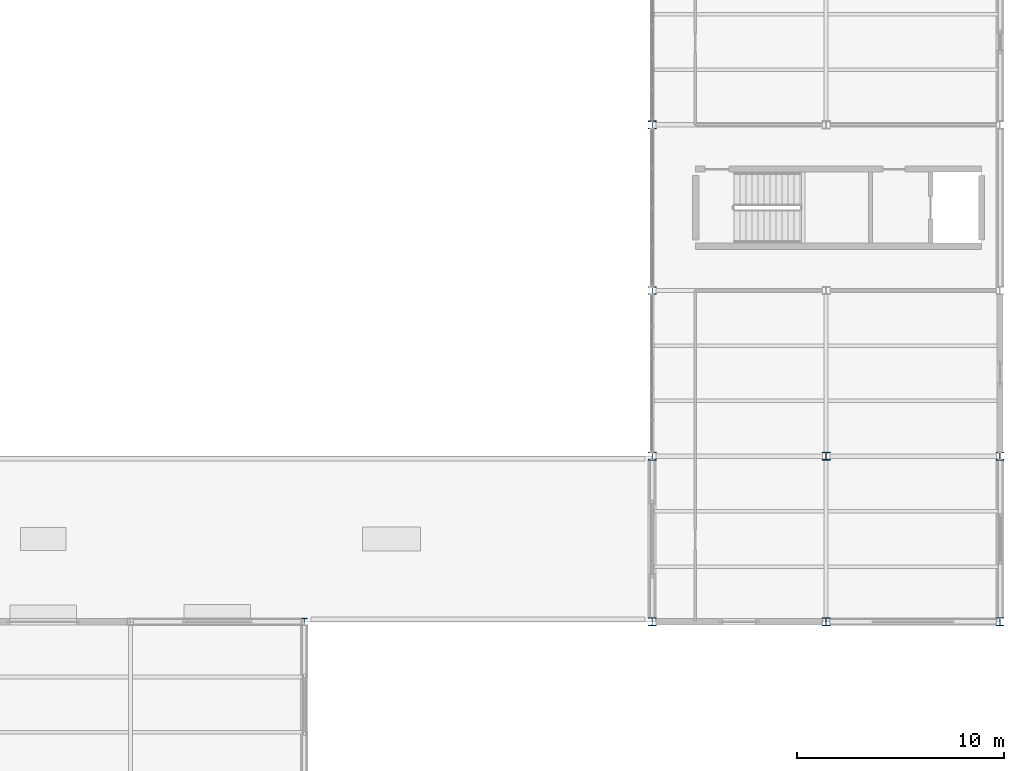
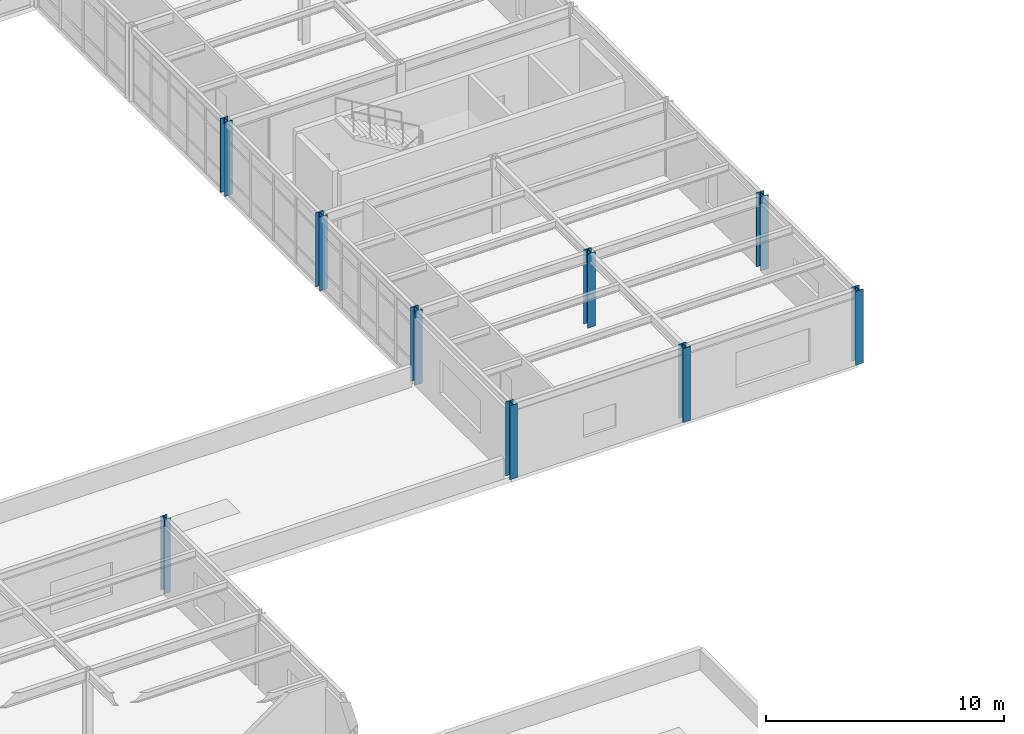
# One storey, part 16 of 138: 9 columns.
"""IFC4 building model written with IfcOpenShell, lengths in metres."""

import ifcopenshell
import ifcopenshell.guid

model = None  # the IFC model being written
_history = None  # IfcOwnerHistory: only IFC2X3 demands one
_inside = {}  # id of a spatial element -> (the spatial element, [elements in it])
_under = {}  # id of a project, library or spatial element -> (it, [spatial elements below it])
_declared = {}  # id of a project -> (the project, [libraries it declares])
_typed = {}  # id of a type object -> (the type object, [elements of that type])
_made_of = {}  # id of a material, layer set ... -> (it, [elements and type objects made of it])


def new_model(schema):
    """Start an empty IFC model of exactly this schema.

    Asked for "IFC4X3", IfcOpenShell would pick the latest addendum, in which some entities
    have other attributes; the version numbers below select the first issue.
    IFC2X3 requires an IfcOwnerHistory on every rooted entity: one is made here for all.
    """
    global model, _history
    if schema == "IFC4X3":
        model = ifcopenshell.file(schema_version=(4, 3, 0, 0))
    else:
        model = ifcopenshell.file(schema=schema)
    _inside.clear()
    _under.clear()
    _declared.clear()
    _typed.clear()
    _made_of.clear()
    _history = None
    if model.schema == "IFC2X3":
        org = make("IfcOrganization", Name="unknown")
        user = make(
            "IfcPersonAndOrganization",
            ThePerson=make("IfcPerson", FamilyName="unknown"),
            TheOrganization=org,
        )
        app = make(
            "IfcApplication",
            ApplicationDeveloper=org,
            Version="unknown",
            ApplicationFullName="unknown",
            ApplicationIdentifier="unknown",
        )
        _history = make(
            "IfcOwnerHistory",
            OwningUser=user,
            OwningApplication=app,
            ChangeAction="ADDED",
            CreationDate=0,
        )
    return model


def make(cls, **values):
    """One entity of the class cls with the attributes given. An attribute that is None is left unset."""
    return model.create_entity(
        cls, **{name: value for name, value in values.items() if value is not None}
    )


def rooted(cls, **values):
    """An entity with a GlobalId (a new one), such as an element, a storey or a relation."""
    return make(cls, GlobalId=ifcopenshell.guid.new(), OwnerHistory=_history, **values)


def si_unit(unit_type, name, prefix=None):
    """IfcSIUnit, for example si_unit("LENGTHUNIT", "METRE", prefix="MILLI")."""
    return make("IfcSIUnit", UnitType=unit_type, Prefix=prefix, Name=name)


def assignment(units):
    """IfcUnitAssignment: the units of a project."""
    return None if units is None else make("IfcUnitAssignment", Units=units)


def point(xyz):
    """IfcCartesianPoint."""
    return None if xyz is None else make("IfcCartesianPoint", Coordinates=xyz)


def direction(xyz):
    """IfcDirection."""
    return None if xyz is None else make("IfcDirection", DirectionRatios=xyz)


def frame(location, z_axis=None, x_axis=None):
    """IfcAxis2Placement3D, a coordinate frame: its origin and axes. An axis left out is left unset."""
    return make(
        "IfcAxis2Placement3D",
        Location=point(location),
        Axis=direction(z_axis),
        RefDirection=direction(x_axis),
    )


def frame_2d(location, x_axis=None):
    """IfcAxis2Placement2D, a coordinate frame in the plane: its origin and x axis."""
    return make(
        "IfcAxis2Placement2D", Location=point(location), RefDirection=direction(x_axis)
    )


def origin():
    """The frame at (0, 0, 0) with its axes left unset."""
    return frame((0.0, 0.0, 0.0))


def origin_2d():
    """The frame at (0, 0) in the plane with its x axis left unset."""
    return frame_2d((0.0, 0.0))


def place(relative_to, where):
    """IfcLocalPlacement: puts the frame where relative to a parent placement (None: the world)."""
    return make(
        "IfcLocalPlacement", PlacementRelTo=relative_to, RelativePlacement=where
    )


def context(
    kind, dimensions, precision=None, world=None, true_north=None, identifier=None
):
    """IfcGeometricRepresentationContext, for example the 3D "Model" context."""
    return make(
        "IfcGeometricRepresentationContext",
        ContextIdentifier=identifier,
        ContextType=kind,
        CoordinateSpaceDimension=dimensions,
        Precision=precision,
        WorldCoordinateSystem=world,
        TrueNorth=true_north,
    )


def subcontext(parent, identifier, kind, view, scale=None):
    """IfcGeometricRepresentationSubContext, for example "Body" below "Model"."""
    return make(
        "IfcGeometricRepresentationSubContext",
        ContextIdentifier=identifier,
        ContextType=kind,
        ParentContext=parent,
        TargetScale=scale,
        TargetView=view,
    )


def project(units=None, contexts=None):
    """IfcProject with its units and contexts."""
    return rooted(
        "IfcProject",
        Name="project",
        RepresentationContexts=contexts,
        UnitsInContext=assignment(units),
    )


def spatial(cls, under=None, at=None, **own):
    """A site, building, storey or space (cls), placed at a placement, below another one or the project."""
    s = rooted(cls, ObjectPlacement=at, **own)
    if under is not None:
        _under.setdefault(under.id(), (under, []))[1].append(s)
    return s


def profile(cls, at=None, kind="AREA", **sizes):
    """A parametric profile (cls). Its sizes go by their IFC names, for example OverallWidth=200.0."""
    return make(cls, ProfileType=kind, Position=at, **sizes)


def i_section(**sizes):
    """IfcIShapeProfileDef."""
    return profile("IfcIShapeProfileDef", **sizes)


def extrude(swept, where, along, depth):
    """IfcExtrudedAreaSolid: the profile swept, set in the frame where, extruded along a direction by depth."""
    return make(
        "IfcExtrudedAreaSolid",
        SweptArea=swept,
        Position=where,
        ExtrudedDirection=direction(along),
        Depth=depth,
    )


def shape(context_of_items, identifier, shape_type, items):
    """IfcShapeRepresentation: the items that make up one representation, for example the "Body"."""
    return make(
        "IfcShapeRepresentation",
        ContextOfItems=context_of_items,
        RepresentationIdentifier=identifier,
        RepresentationType=shape_type,
        Items=items,
    )


def material(Name=None, Category=None):
    """IfcMaterial."""
    return make("IfcMaterial", Name=Name, Category=Category)


def material_profile(
    of_material, cross_section, Name=None, Category=None, Priority=None
):
    """IfcMaterialProfile: a cross section and its material."""
    return make(
        "IfcMaterialProfile",
        Name=Name,
        Material=of_material,
        Profile=cross_section,
        Priority=Priority,
        Category=Category,
    )


def profile_set(profiles, Name=None, composite=None):
    """IfcMaterialProfileSet."""
    return make(
        "IfcMaterialProfileSet",
        Name=Name,
        MaterialProfiles=profiles,
        CompositeProfile=composite,
    )


def made_of(thing, what):
    """Note that an element or type object is made of a material, layer set ...; save() writes the relation."""
    if what is not None:
        _made_of.setdefault(what.id(), (what, []))[1].append(thing)
    return thing


def type_object(cls, material=None, **own):
    """A type object (cls), such as IfcWallType, which elements share."""
    return made_of(rooted(cls, **own), material)


def element(
    cls,
    number,
    at=None,
    inside=None,
    cuts=None,
    type_object=None,
    material=None,
    context=None,
    identifier="Body",
    shape_type=None,
    held_by="IfcProductDefinitionShape",
    body=None,
    shapes=None,
    **own,
):
    """One element of the class cls, such as IfcWall. Its Tag is "e" and its number.

    at: its placement. inside: the storey or other place that contains it. cuts: it is an
    opening in that element (IfcRelVoidsElement). A single representation is given by context,
    identifier, shape_type and body (its items); several are given by shapes. held_by: the class
    of the entity that holds the representations. save() writes the other relations.
    """
    e = rooted(cls, Tag="e%d" % number, ObjectPlacement=at, **own)
    if body is not None:
        shapes = [shape(context, identifier, shape_type, body)]
    if shapes is not None:
        e.Representation = make(held_by, Representations=shapes)
    if inside is not None:
        _inside.setdefault(inside.id(), (inside, []))[1].append(e)
    if cuts is not None:
        rooted(
            "IfcRelVoidsElement", RelatingBuildingElement=cuts, RelatedOpeningElement=e
        )
    if type_object is not None:
        _typed.setdefault(type_object.id(), (type_object, []))[1].append(e)
    return made_of(e, material)


def aggregate(whole, parts):
    """IfcRelAggregates: a whole, such as a stair, and the parts it consists of."""
    return rooted("IfcRelAggregates", RelatingObject=whole, RelatedObjects=parts)


def save(model, path):
    """Write the relations noted so far, then the file.

    IfcRelAggregates (storeys below a building ...), IfcRelContainedInSpatialStructure (elements
    in a storey), IfcRelDefinesByType, IfcRelAssociatesMaterial and IfcRelDeclares: one each for
    every whole, place, type object, material and project.
    """
    for whole, parts in _under.values():
        aggregate(whole, parts)
    for where, things in _inside.values():
        rooted(
            "IfcRelContainedInSpatialStructure",
            RelatedElements=things,
            RelatingStructure=where,
        )
    for kind, things in _typed.values():
        rooted("IfcRelDefinesByType", RelatedObjects=things, RelatingType=kind)
    for what, things in _made_of.values():
        rooted("IfcRelAssociatesMaterial", RelatedObjects=things, RelatingMaterial=what)
    for by, libraries in _declared.values():
        rooted("IfcRelDeclares", RelatingContext=by, RelatedDefinitions=libraries)
    model.write(path)


model = new_model("IFC4")

# Units and contexts
model_context = context("Model", 3, precision=1e-05, world=origin(), true_north=direction((0.0, 1.0)))
body_context = subcontext(model_context, "Body", "Model", "MODEL_VIEW")
ifc_project = project(units=[si_unit("LENGTHUNIT", "METRE"), si_unit("AREAUNIT", "SQUARE_METRE"), si_unit("VOLUMEUNIT", "CUBIC_METRE"), si_unit("PLANEANGLEUNIT", "RADIAN"), si_unit("MASSUNIT", "GRAM", prefix="KILO")], contexts=[model_context])

# Site, building, storey
site_placement = place(None, origin())
site = spatial("IfcSite", under=ifc_project, at=site_placement, CompositionType="ELEMENT")
building_placement = place(site_placement, origin())
building = spatial("IfcBuilding", under=site, at=building_placement, Name="Kranzveld Transit Interchange", CompositionType="ELEMENT")
storey_placement = place(building_placement, frame((0.0, 0.0, 5.43994140625)))
storey = spatial("IfcBuildingStorey", under=building, at=storey_placement, Name="L01", CompositionType="ELEMENT", Elevation=5.43994140625)

# Columns
ifc_material_1 = material(Name="Steel S355JR", Category="steel")
ifc_material_profile_1 = material_profile(ifc_material_1, i_section(OverallWidth=0.30908203125, OverallDepth=0.320556640625, WebThickness=0.013916015625, FlangeThickness=0.021728515625, FilletRadius=0.01513671875, at=origin_2d()), Name="UC 305x305x137")
ifc_profile_set_1 = profile_set([ifc_material_profile_1], Name="Steel S355JR")
column_type_1 = type_object("IfcColumnType", Name="Column Steel UC 305x305x137 S355JR", PredefinedType="COLUMN", material=ifc_profile_set_1)
column_placement = place(storey_placement, frame((134.39990234375, 56.0, 0.0), z_axis=(0.0, 0.0, 1.0), x_axis=(1.0, 0.0, 0.0)))
element("IfcColumn", 1, at=column_placement, inside=storey, type_object=column_type_1, Name="L01 Column 17/H", PredefinedType="COLUMN", context=body_context, shape_type="SweptSolid", body=[
    extrude(i_section(OverallWidth=0.30908203125, OverallDepth=0.320556640625, WebThickness=0.013916015625, FlangeThickness=0.021728515625, FilletRadius=0.01513671875, at=origin_2d()), origin(), (0.0, 0.0, 1.0), 3.800048828125),
])
ifc_material_2 = material(Name="Steel S355JR", Category="steel")
ifc_material_profile_2 = material_profile(ifc_material_2, i_section(OverallWidth=0.374755859375, OverallDepth=0.37451171875, WebThickness=0.0166015625, FlangeThickness=0.027099609375, FilletRadius=0.01513671875, at=origin_2d()), Name="UC 356x368x202")
ifc_profile_set_2 = profile_set([ifc_material_profile_2], Name="Steel S355JR")
column_type_2 = type_object("IfcColumnType", Name="Column Steel UC 356x368x202 S355JR", PredefinedType="COLUMN", material=ifc_profile_set_2)
for number, where, z_axis, x_axis, name in (
    (2, (151.199951171875, 56.0, 0.0), (0.0, 0.0, 1.0), (1.0, 0.0, 0.0), "L01 Column 19/H"),
    (3, (151.199951171875, 64.0, 0.0), (0.0, 0.0, 1.0), (1.0, 0.0, 0.0), "L01 Column 19/J"),
    (4, (151.199951171875, 72.0, 0.0), (0.0, 0.0, 1.0), (1.0, 0.0, 0.0), "L01 Column 19/K"),
    (5, (151.199951171875, 80.0, 0.0), (0.0, 0.0, 1.0), (1.0, 0.0, 0.0), "L01 Column 19/L"),
    (6, (159.60009765625, 56.0, 0.0), (0.0, 0.0, 1.0), (1.0, 0.0, 0.0), "L01 Column 20/H"),
    (7, (159.60009765625, 64.0, 0.0), (0.0, 0.0, 1.0), (1.0, 0.0, 0.0), "L01 Column 20/J"),
    (8, (168.0, 56.0, 0.0), (0.0, 0.0, 1.0), (1.0, 0.0, 0.0), "L01 Column 21/H"),
    (9, (168.0, 64.0, 0.0), (0.0, 0.0, 1.0), (1.0, 0.0, 0.0), "L01 Column 21/J"),
):
    element("IfcColumn", number, at=place(storey_placement, frame(where, z_axis=z_axis, x_axis=x_axis)), inside=storey, type_object=column_type_2, Name=name, PredefinedType="COLUMN", context=body_context, shape_type="SweptSolid", body=[
        extrude(i_section(OverallWidth=0.374755859375, OverallDepth=0.37451171875, WebThickness=0.0166015625, FlangeThickness=0.027099609375, FilletRadius=0.01513671875, at=origin_2d()), origin(), (0.0, 0.0, 1.0), 3.800048828125),
    ])

save(model, "model.ifc")
